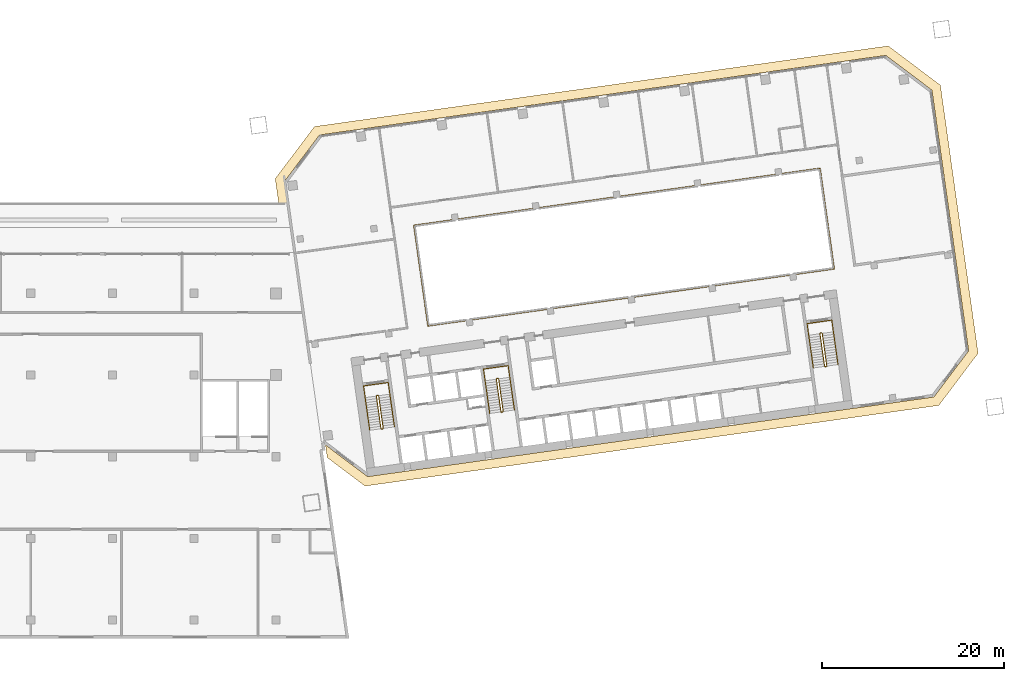
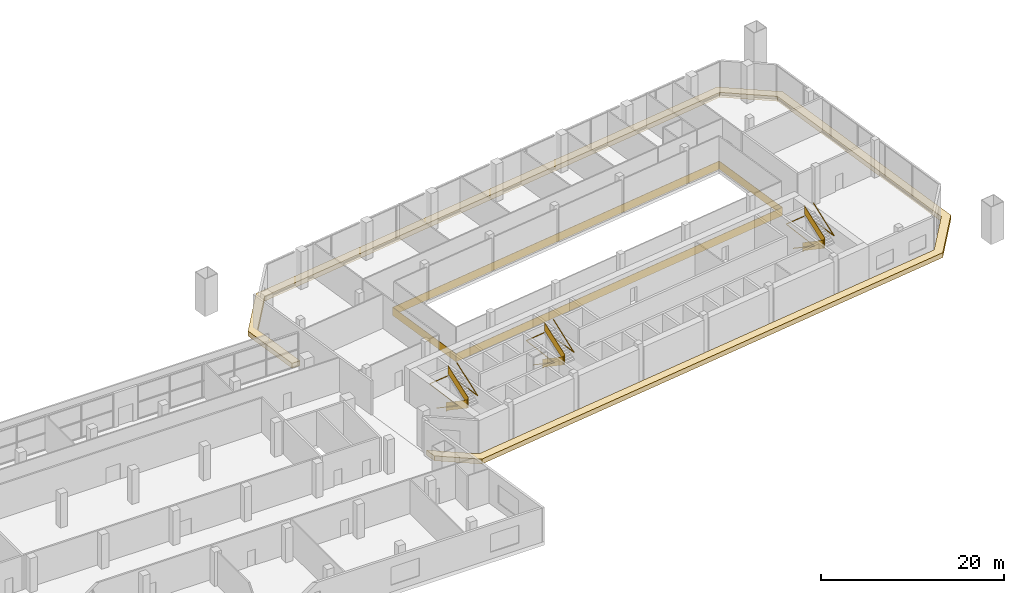
# One storey, part 21 of 21: 7 railings, 1 covering.
"""IFC4 building model written with IfcOpenShell, lengths in metres."""

from ifc_helpers import new_model, si_unit, direction, frame, origin, origin_2d, place, context, subcontext, project, spatial, polyline, rectangle, outline, extrude, material, layer, layer_set, type_object, element, save


model = new_model("IFC4")

# Units and contexts
model_context = context("Model", 3, precision=1e-05, world=origin(), true_north=direction((0.0, 1.0)))
body_context = subcontext(model_context, "Body", "Model", "MODEL_VIEW")
ifc_project = project(units=[si_unit("LENGTHUNIT", "METRE"), si_unit("AREAUNIT", "SQUARE_METRE"), si_unit("VOLUMEUNIT", "CUBIC_METRE"), si_unit("PLANEANGLEUNIT", "RADIAN"), si_unit("MASSUNIT", "GRAM", prefix="KILO")], contexts=[model_context])

# Site, building, storey
site_placement = place(None, origin())
site = spatial("IfcSite", under=ifc_project, at=site_placement, CompositionType="ELEMENT")
building_placement = place(site_placement, origin())
building = spatial("IfcBuilding", under=site, at=building_placement, Name="Mirante Cascada Hotel Towers", CompositionType="ELEMENT")
storey_placement = place(building_placement, frame((0.0, 0.0, 34.5)))
storey = spatial("IfcBuildingStorey", under=building, at=storey_placement, Name="L05", CompositionType="ELEMENT", Elevation=34.5)

# Railing
ifc_material_1 = material(Name="Painted steel", Category="steel")
railing_type_1 = type_object("IfcRailingType", Name="Atrium edge guard 1100 steel balustrade", PredefinedType="GUARDRAIL", material=ifc_material_1)
railing_1_placement = place(storey_placement, frame((43.7567, -3.601, 0.0)))
element("IfcRailing", 1, at=railing_1_placement, inside=storey, type_object=railing_type_1, Name="Atrium guard T2 L05", PredefinedType="GUARDRAIL", context=body_context, shape_type="SweptSolid", body=[
    extrude(rectangle(XDim=0.048, YDim=0.048, at=origin_2d()), frame((0.0, 0.0, 1.076), z_axis=(0.9902681, 0.1391726, 0.0), x_axis=(-0.1391726, 0.9902681, 0.0)), (0.0, 0.0, 1.0), 45.2),
    extrude(rectangle(XDim=0.02, YDim=1.052, at=origin_2d()), frame((0.0, 0.0, 0.526), z_axis=(0.9902681, 0.1391726, 0.0), x_axis=(-0.1391726, 0.9902681, 0.0)), (0.0, 0.0, 1.0), 45.2),
    extrude(rectangle(XDim=0.048, YDim=0.048, at=origin_2d()), frame((44.7601, 6.2906, 1.076), z_axis=(-0.1391697, 0.9902685, 0.0), x_axis=(-0.9902685, -0.1391697, 0.0)), (0.0, 0.0, 1.0), 11.2),
    extrude(rectangle(XDim=0.02, YDim=1.052, at=origin_2d()), frame((44.7601, 6.2906, 0.526), z_axis=(-0.1391697, 0.9902685, 0.0), x_axis=(-0.9902685, -0.1391697, 0.0)), (0.0, 0.0, 1.0), 11.2),
    extrude(rectangle(XDim=0.048, YDim=0.048, at=origin_2d()), frame((43.2014, 17.3816, 1.076), z_axis=(-0.9902681, -0.1391726, 0.0), x_axis=(0.1391726, -0.9902681, 0.0)), (0.0, 0.0, 1.0), 45.2),
    extrude(rectangle(XDim=0.02, YDim=1.052, at=origin_2d()), frame((43.2014, 17.3816, 0.526), z_axis=(-0.9902681, -0.1391726, 0.0), x_axis=(0.1391726, -0.9902681, 0.0)), (0.0, 0.0, 1.0), 45.2),
    extrude(rectangle(XDim=0.048, YDim=0.048, at=origin_2d()), frame((-1.5587, 11.091, 1.076), z_axis=(0.1391697, -0.9902685, 0.0), x_axis=(0.9902685, 0.1391697, 0.0)), (0.0, 0.0, 1.0), 11.2),
    extrude(rectangle(XDim=0.02, YDim=1.052, at=origin_2d()), frame((-1.5587, 11.091, 0.526), z_axis=(0.1391697, -0.9902685, 0.0), x_axis=(0.9902685, 0.1391697, 0.0)), (0.0, 0.0, 1.0), 11.2),
])

# Covering
ifc_material_2 = material(Name="Precast concrete C40/50 white", Category="concrete")
ifc_layer = layer(ifc_material_2, 0.6)
ifc_layer_set = layer_set([ifc_layer], Name="Precast concrete SUNSHADE band 1000x600")
covering_type = type_object("IfcCoveringType", Name="Precast concrete SUNSHADE band 1000x600", PredefinedType="CLADDING", material=ifc_layer_set)
covering_placement = place(storey_placement, frame((0.0, 0.0, -0.5)))
element("IfcCovering", 2, at=covering_placement, inside=storey, type_object=covering_type, Name="Precast concrete SUNSHADE band T2 L05", PredefinedType="CLADDING", context=body_context, shape_type="SweptSolid", body=[
    extrude(outline(polyline([(31.2626, 18.374), (94.4698, 27.2572), (100.2139, 22.9287), (104.3652, -6.6094), (100.0367, -12.3535), (36.8295, -21.2367), (32.6666, -18.0998), (32.4698, -16.6993), (37.1005, -20.1888), (99.4874, -11.4209), (103.3173, -6.3384), (99.2813, 22.3794), (94.1988, 26.2093), (31.8119, 17.4414), (27.982, 12.3589), (29.0303, 4.9), (28.0204, 4.9), (26.9341, 12.6299), (31.2626, 18.374)])), origin(), (0.0, 0.0, 1.0), 0.65),
])

# Railings
ifc_material_3 = material(Name="Painted steel", Category="steel")
railing_type_2 = type_object("IfcRailingType", Name="Stair guard 1100 steel balustrade", PredefinedType="GUARDRAIL", material=ifc_material_3)
railing_2_placement = place(storey_placement, frame((38.2663, -11.2395, 0.0)))
element("IfcRailing", 3, at=railing_2_placement, inside=storey, type_object=railing_type_2, Name="L05 ST2-A stair guard 1", PredefinedType="GUARDRAIL", context=body_context, shape_type="SweptSolid", body=[
    extrude(rectangle(XDim=0.048, YDim=0.048, at=origin_2d()), frame((0.0, 0.0, 1.076), z_axis=(-0.9903326, -0.1387133, 0.0), x_axis=(0.1387133, -0.9903326, 0.0)), (0.0, 0.0, 1.0), 0.1499),
    extrude(rectangle(XDim=0.02, YDim=1.052, at=origin_2d()), frame((0.0, 0.0, 0.526), z_axis=(-0.9903326, -0.1387133, 0.0), x_axis=(0.1387133, -0.9903326, 0.0)), (0.0, 0.0, 1.0), 0.1499),
    extrude(rectangle(XDim=0.048, YDim=0.048, at=origin_2d()), frame((-0.1485, -0.0208, 1.076), z_axis=(-0.6020331, -0.7984711, 0.0), x_axis=(0.7984711, -0.6020331, 0.0)), (0.0, 0.9296919, 0.3683382), 0.1921),
    extrude(rectangle(XDim=0.02, YDim=1.052, at=origin_2d()), frame((-0.1485, -0.0208, 0.526), z_axis=(-0.6020331, -0.7984711, 0.0), x_axis=(0.7984711, -0.6020331, 0.0)), (0.0, 0.9296919, 0.3683382), 0.1921),
    extrude(rectangle(XDim=0.048, YDim=0.048, at=origin_2d()), frame((-0.1911, -0.0773, 1.2546), z_axis=(0.1391749, -0.9902678, 0.0), x_axis=(0.9902678, 0.1391749, 0.0)), (0.0, 0.5377029, 0.8431344), 4.3173),
    extrude(rectangle(XDim=0.02, YDim=1.052, at=origin_2d()), frame((-0.1911, -0.0773, 0.7046), z_axis=(0.1391749, -0.9902678, 0.0), x_axis=(0.9902678, 0.1391749, 0.0)), (0.0, 0.5377029, 0.8431344), 4.3173),
    extrude(rectangle(XDim=0.048, YDim=0.048, at=origin_2d()), frame((0.3155, -3.6819, 3.576), z_axis=(0.9944441, -0.1052656, 0.0), x_axis=(0.1052656, 0.9944441, 0.0)), (0.0, 0.0, 1.0), 0.2061),
    extrude(rectangle(XDim=0.02, YDim=1.052, at=origin_2d()), frame((0.3155, -3.6819, 3.026), z_axis=(0.9944441, -0.1052656, 0.0), x_axis=(0.1052656, 0.9944441, 0.0)), (0.0, 0.0, 1.0), 0.2061),
    extrude(rectangle(XDim=0.048, YDim=0.048, at=origin_2d()), frame((0.5205, -3.7036, 3.576), z_axis=(-0.9903326, -0.1387133, 0.0), x_axis=(0.1387133, -0.9903326, 0.0)), (0.0, 0.0, 1.0), 0.1499),
    extrude(rectangle(XDim=0.02, YDim=1.052, at=origin_2d()), frame((0.5205, -3.7036, 3.026), z_axis=(-0.9903326, -0.1387133, 0.0), x_axis=(0.1387133, -0.9903326, 0.0)), (0.0, 0.0, 1.0), 0.1499),
    extrude(rectangle(XDim=0.048, YDim=0.048, at=origin_2d()), frame((0.372, -3.7244, 3.576), z_axis=(0.9270311, 0.3749843, 0.0), x_axis=(-0.3749843, 0.9270311, 0.0)), (0.0, 0.6548126, 0.7557913), 0.2727),
    extrude(rectangle(XDim=0.02, YDim=1.052, at=origin_2d()), frame((0.372, -3.7244, 3.026), z_axis=(0.9270311, 0.3749843, 0.0), x_axis=(-0.3749843, 0.9270311, 0.0)), (0.0, 0.6548126, 0.7557913), 0.2727),
    extrude(rectangle(XDim=0.048, YDim=0.048, at=origin_2d()), frame((0.5631, -3.6471, 3.7546), z_axis=(-0.1391749, 0.9902678, 0.0), x_axis=(-0.9902678, -0.1391749, 0.0)), (0.0, 0.5377029, 0.8431344), 4.3173),
    extrude(rectangle(XDim=0.02, YDim=1.052, at=origin_2d()), frame((0.5631, -3.6471, 3.2046), z_axis=(-0.1391749, 0.9902678, 0.0), x_axis=(-0.9902678, -0.1391749, 0.0)), (0.0, 0.5377029, 0.8431344), 4.3173),
])
railing_3_placement = place(storey_placement, frame((51.4864, -9.3815, 0.0)))
element("IfcRailing", 4, at=railing_3_placement, inside=storey, type_object=railing_type_2, Name="L05 ST2-B stair guard 1", PredefinedType="GUARDRAIL", context=body_context, shape_type="SweptSolid", body=[
    extrude(rectangle(XDim=0.048, YDim=0.048, at=origin_2d()), frame((0.0, 0.0, 1.076), z_axis=(-0.9902408, -0.1393672, 0.0), x_axis=(0.1393672, -0.9902408, 0.0)), (0.0, 0.0, 1.0), 0.15),
    extrude(rectangle(XDim=0.02, YDim=1.052, at=origin_2d()), frame((0.0, 0.0, 0.526), z_axis=(-0.9902408, -0.1393672, 0.0), x_axis=(0.1393672, -0.9902408, 0.0)), (0.0, 0.0, 1.0), 0.15),
    extrude(rectangle(XDim=0.048, YDim=0.048, at=origin_2d()), frame((-0.1485, -0.0209, 1.076), z_axis=(-0.6020331, -0.7984711, 0.0), x_axis=(0.7984711, -0.6020331, 0.0)), (0.0, 0.9296919, 0.3683382), 0.1921),
    extrude(rectangle(XDim=0.02, YDim=1.052, at=origin_2d()), frame((-0.1485, -0.0209, 0.526), z_axis=(-0.6020331, -0.7984711, 0.0), x_axis=(0.7984711, -0.6020331, 0.0)), (0.0, 0.9296919, 0.3683382), 0.1921),
    extrude(rectangle(XDim=0.048, YDim=0.048, at=origin_2d()), frame((-0.1911, -0.0774, 1.2546), z_axis=(0.1391786, -0.9902673, 0.0), x_axis=(0.9902673, 0.1391786, 0.0)), (0.0, 0.5377133, 0.8431278), 4.3172),
    extrude(rectangle(XDim=0.02, YDim=1.052, at=origin_2d()), frame((-0.1911, -0.0774, 0.7046), z_axis=(0.1391786, -0.9902673, 0.0), x_axis=(0.9902673, 0.1391786, 0.0)), (0.0, 0.5377133, 0.8431278), 4.3172),
    extrude(rectangle(XDim=0.048, YDim=0.048, at=origin_2d()), frame((0.3155, -3.6819, 3.576), z_axis=(0.9944441, -0.1052656, 0.0), x_axis=(0.1052656, 0.9944441, 0.0)), (0.0, 0.0, 1.0), 0.2061),
    extrude(rectangle(XDim=0.02, YDim=1.052, at=origin_2d()), frame((0.3155, -3.6819, 3.026), z_axis=(0.9944441, -0.1052656, 0.0), x_axis=(0.1052656, 0.9944441, 0.0)), (0.0, 0.0, 1.0), 0.2061),
    extrude(rectangle(XDim=0.048, YDim=0.048, at=origin_2d()), frame((0.5205, -3.7036, 3.576), z_axis=(-0.9902408, -0.1393672, 0.0), x_axis=(0.1393672, -0.9902408, 0.0)), (0.0, 0.0, 1.0), 0.15),
    extrude(rectangle(XDim=0.02, YDim=1.052, at=origin_2d()), frame((0.5205, -3.7036, 3.026), z_axis=(-0.9902408, -0.1393672, 0.0), x_axis=(0.1393672, -0.9902408, 0.0)), (0.0, 0.0, 1.0), 0.15),
    extrude(rectangle(XDim=0.048, YDim=0.048, at=origin_2d()), frame((0.372, -3.7245, 3.576), z_axis=(0.9268624, 0.3754011, 0.0), x_axis=(-0.3754011, 0.9268624, 0.0)), (0.0, 0.6547445, 0.7558503), 0.2728),
    extrude(rectangle(XDim=0.02, YDim=1.052, at=origin_2d()), frame((0.372, -3.7245, 3.026), z_axis=(0.9268624, 0.3754011, 0.0), x_axis=(-0.3754011, 0.9268624, 0.0)), (0.0, 0.6547445, 0.7558503), 0.2728),
    extrude(rectangle(XDim=0.048, YDim=0.048, at=origin_2d()), frame((0.5631, -3.6471, 3.7546), z_axis=(-0.1391786, 0.9902673, 0.0), x_axis=(-0.9902673, -0.1391786, 0.0)), (0.0, 0.5377133, 0.8431278), 4.3172),
    extrude(rectangle(XDim=0.02, YDim=1.052, at=origin_2d()), frame((0.5631, -3.6471, 3.2046), z_axis=(-0.1391786, 0.9902673, 0.0), x_axis=(-0.9902673, -0.1391786, 0.0)), (0.0, 0.5377133, 0.8431278), 4.3172),
])
railing_4_placement = place(storey_placement, frame((87.1361, -4.3713, 0.0)))
element("IfcRailing", 5, at=railing_4_placement, inside=storey, type_object=railing_type_2, Name="L05 ST2-C stair guard 1", PredefinedType="GUARDRAIL", context=body_context, shape_type="SweptSolid", body=[
    extrude(rectangle(XDim=0.048, YDim=0.048, at=origin_2d()), frame((0.0, 0.0, 1.076), z_axis=(-0.9902537, -0.1392753, 0.0), x_axis=(0.1392753, -0.9902537, 0.0)), (0.0, 0.0, 1.0), 0.1501),
    extrude(rectangle(XDim=0.02, YDim=1.052, at=origin_2d()), frame((0.0, 0.0, 0.526), z_axis=(-0.9902537, -0.1392753, 0.0), x_axis=(0.1392753, -0.9902537, 0.0)), (0.0, 0.0, 1.0), 0.1501),
    extrude(rectangle(XDim=0.048, YDim=0.048, at=origin_2d()), frame((-0.1486, -0.0209, 1.076), z_axis=(-0.601811, -0.7986386, 0.0), x_axis=(0.7986386, -0.601811, 0.0)), (0.0, 0.9299414, 0.3677079), 0.1921),
    extrude(rectangle(XDim=0.02, YDim=1.052, at=origin_2d()), frame((-0.1486, -0.0209, 0.526), z_axis=(-0.601811, -0.7986386, 0.0), x_axis=(0.7986386, -0.601811, 0.0)), (0.0, 0.9299414, 0.3677079), 0.1921),
    extrude(rectangle(XDim=0.048, YDim=0.048, at=origin_2d()), frame((-0.1911, -0.0773, 1.2546), z_axis=(0.1391749, -0.9902678, 0.0), x_axis=(0.9902678, 0.1391749, 0.0)), (0.0, 0.5377029, 0.8431344), 4.3173),
    extrude(rectangle(XDim=0.02, YDim=1.052, at=origin_2d()), frame((-0.1911, -0.0773, 0.7046), z_axis=(0.1391749, -0.9902678, 0.0), x_axis=(0.9902678, 0.1391749, 0.0)), (0.0, 0.5377029, 0.8431344), 4.3173),
    extrude(rectangle(XDim=0.048, YDim=0.048, at=origin_2d()), frame((0.3155, -3.6819, 3.576), z_axis=(0.9944441, -0.1052656, 0.0), x_axis=(0.1052656, 0.9944441, 0.0)), (0.0, 0.0, 1.0), 0.2061),
    extrude(rectangle(XDim=0.02, YDim=1.052, at=origin_2d()), frame((0.3155, -3.6819, 3.026), z_axis=(0.9944441, -0.1052656, 0.0), x_axis=(0.1052656, 0.9944441, 0.0)), (0.0, 0.0, 1.0), 0.2061),
    extrude(rectangle(XDim=0.048, YDim=0.048, at=origin_2d()), frame((0.5205, -3.7036, 3.576), z_axis=(-0.9902537, -0.1392753, 0.0), x_axis=(0.1392753, -0.9902537, 0.0)), (0.0, 0.0, 1.0), 0.1501),
    extrude(rectangle(XDim=0.02, YDim=1.052, at=origin_2d()), frame((0.5205, -3.7036, 3.026), z_axis=(-0.9902537, -0.1392753, 0.0), x_axis=(0.1392753, -0.9902537, 0.0)), (0.0, 0.0, 1.0), 0.1501),
    extrude(rectangle(XDim=0.048, YDim=0.048, at=origin_2d()), frame((0.3719, -3.7245, 3.576), z_axis=(0.9268624, 0.3754011, 0.0), x_axis=(-0.3754011, 0.9268624, 0.0)), (0.0, 0.6547445, 0.7558503), 0.2728),
    extrude(rectangle(XDim=0.02, YDim=1.052, at=origin_2d()), frame((0.3719, -3.7245, 3.026), z_axis=(0.9268624, 0.3754011, 0.0), x_axis=(-0.3754011, 0.9268624, 0.0)), (0.0, 0.6547445, 0.7558503), 0.2728),
    extrude(rectangle(XDim=0.048, YDim=0.048, at=origin_2d()), frame((0.563, -3.6471, 3.7546), z_axis=(-0.1391749, 0.9902678, 0.0), x_axis=(-0.9902678, -0.1391749, 0.0)), (0.0, 0.5377029, 0.8431344), 4.3173),
    extrude(rectangle(XDim=0.02, YDim=1.052, at=origin_2d()), frame((0.563, -3.6471, 3.2046), z_axis=(-0.1391749, 0.9902678, 0.0), x_axis=(-0.9902678, -0.1391749, 0.0)), (0.0, 0.5377029, 0.8431344), 4.3173),
])
ifc_material_4 = material(Name="Painted steel", Category="steel")
railing_type_3 = type_object("IfcRailingType", Name="Stair handrail 900 steel tube", PredefinedType="HANDRAIL", material=ifc_material_4)
railing_5_placement = place(storey_placement, frame((36.8374, -11.4908, 0.1786)))
element("IfcRailing", 6, at=railing_5_placement, inside=storey, type_object=railing_type_3, Name="L05 ST2-A stair handrail 1", PredefinedType="HANDRAIL", context=body_context, shape_type="SweptSolid", body=[
    extrude(rectangle(XDim=0.048, YDim=0.048, at=origin_2d()), frame((0.0, 0.0, 0.876), z_axis=(0.1391749, -0.9902678, 0.0), x_axis=(0.9902678, 0.1391749, 0.0)), (0.0, 0.5377029, 0.8431344), 4.3173),
    extrude(rectangle(XDim=0.048, YDim=0.048, at=origin_2d()), frame((0.5066, -3.6046, 3.1974), z_axis=(-0.139168, 0.9902688, 0.0), x_axis=(-0.9902688, -0.139168, 0.0)), (0.0, 0.0361297, 0.9993471), 4.9433),
    extrude(rectangle(XDim=0.048, YDim=0.048, at=origin_2d()), frame((-0.1809, 1.2874, 3.376), z_axis=(0.9902691, 0.1391657, 0.0), x_axis=(-0.1391657, 0.9902691, 0.0)), (0.0, 0.0, 1.0), 2.75),
    extrude(rectangle(XDim=0.048, YDim=0.048, at=origin_2d()), frame((2.5423, 1.6701, 3.376), z_axis=(0.1391708, -0.9902684, 0.0), x_axis=(0.9902684, 0.1391708, 0.0)), (0.0, 0.0, 1.0), 4.94),
    extrude(rectangle(XDim=0.048, YDim=0.048, at=origin_2d()), frame((3.2298, -3.2218, 3.376), z_axis=(-0.1391786, 0.9902673, 0.0), x_axis=(-0.9902673, -0.1391786, 0.0)), (0.0, 0.5377133, 0.8431278), 4.3172),
])
railing_6_placement = place(storey_placement, frame((50.0575, -9.6328, 0.1786)))
element("IfcRailing", 7, at=railing_6_placement, inside=storey, type_object=railing_type_3, Name="L05 ST2-B stair handrail 1", PredefinedType="HANDRAIL", context=body_context, shape_type="SweptSolid", body=[
    extrude(rectangle(XDim=0.048, YDim=0.048, at=origin_2d()), frame((0.0, 0.0, 0.876), z_axis=(0.1391749, -0.9902678, 0.0), x_axis=(0.9902678, 0.1391749, 0.0)), (0.0, 0.5377029, 0.8431344), 4.3173),
    extrude(rectangle(XDim=0.048, YDim=0.048, at=origin_2d()), frame((0.5066, -3.6046, 3.1974), z_axis=(-0.1391708, 0.9902684, 0.0), x_axis=(-0.9902684, -0.1391708, 0.0)), (0.0, 0.0361304, 0.9993471), 4.9432),
    extrude(rectangle(XDim=0.048, YDim=0.048, at=origin_2d()), frame((-0.1809, 1.2873, 3.376), z_axis=(0.9902641, 0.1392013, 0.0), x_axis=(-0.1392013, 0.9902641, 0.0)), (0.0, 0.0, 1.0), 2.75),
    extrude(rectangle(XDim=0.048, YDim=0.048, at=origin_2d()), frame((2.5423, 1.6701, 3.376), z_axis=(0.139168, -0.9902688, 0.0), x_axis=(0.9902688, 0.139168, 0.0)), (0.0, 0.0, 1.0), 4.9401),
    extrude(rectangle(XDim=0.048, YDim=0.048, at=origin_2d()), frame((3.2298, -3.2219, 3.376), z_axis=(-0.1391749, 0.9902678, 0.0), x_axis=(-0.9902678, -0.1391749, 0.0)), (0.0, 0.5377029, 0.8431344), 4.3173),
])
railing_7_placement = place(storey_placement, frame((85.7071, -4.6226, 0.1786)))
element("IfcRailing", 8, at=railing_7_placement, inside=storey, type_object=railing_type_3, Name="L05 ST2-C stair handrail 1", PredefinedType="HANDRAIL", context=body_context, shape_type="SweptSolid", body=[
    extrude(rectangle(XDim=0.048, YDim=0.048, at=origin_2d()), frame((0.0, 0.0, 0.876), z_axis=(0.1391749, -0.9902678, 0.0), x_axis=(0.9902678, 0.1391749, 0.0)), (0.0, 0.5377029, 0.8431344), 4.3173),
    extrude(rectangle(XDim=0.048, YDim=0.048, at=origin_2d()), frame((0.5066, -3.6046, 3.1974), z_axis=(-0.139168, 0.9902688, 0.0), x_axis=(-0.9902688, -0.139168, 0.0)), (0.0, 0.0361297, 0.9993471), 4.9433),
    extrude(rectangle(XDim=0.048, YDim=0.048, at=origin_2d()), frame((-0.1809, 1.2874, 3.376), z_axis=(0.9902691, 0.1391657, 0.0), x_axis=(-0.1391657, 0.9902691, 0.0)), (0.0, 0.0, 1.0), 2.75),
    extrude(rectangle(XDim=0.048, YDim=0.048, at=origin_2d()), frame((2.5423, 1.6701, 3.376), z_axis=(0.1391906, -0.9902656, 0.0), x_axis=(0.9902656, 0.1391906, 0.0)), (0.0, 0.0, 1.0), 4.94),
    extrude(rectangle(XDim=0.048, YDim=0.048, at=origin_2d()), frame((3.2299, -3.2218, 3.376), z_axis=(-0.1391786, 0.9902673, 0.0), x_axis=(-0.9902673, -0.1391786, 0.0)), (0.0, 0.5377133, 0.8431278), 4.3172),
])

save(model, "model.ifc")
